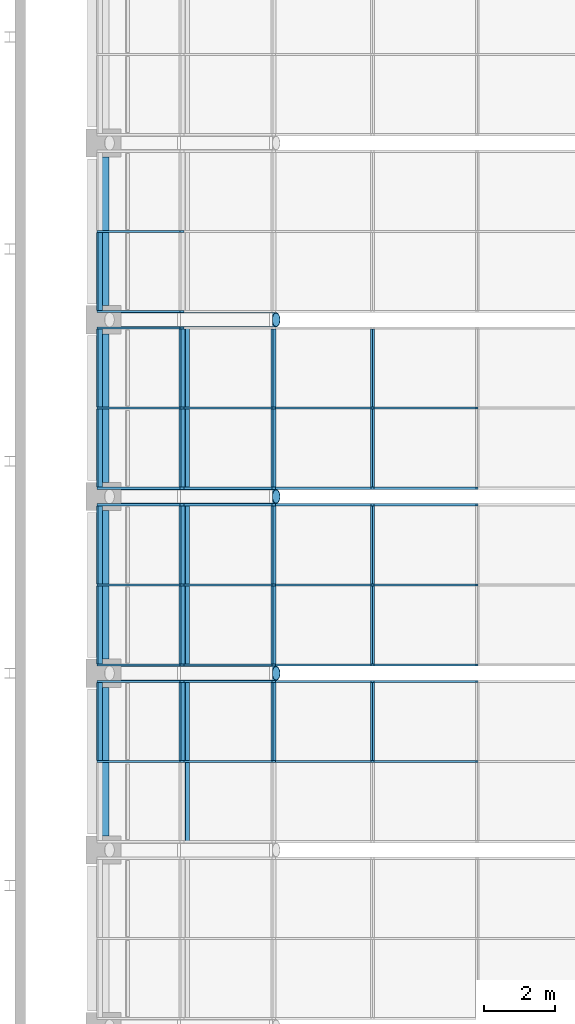
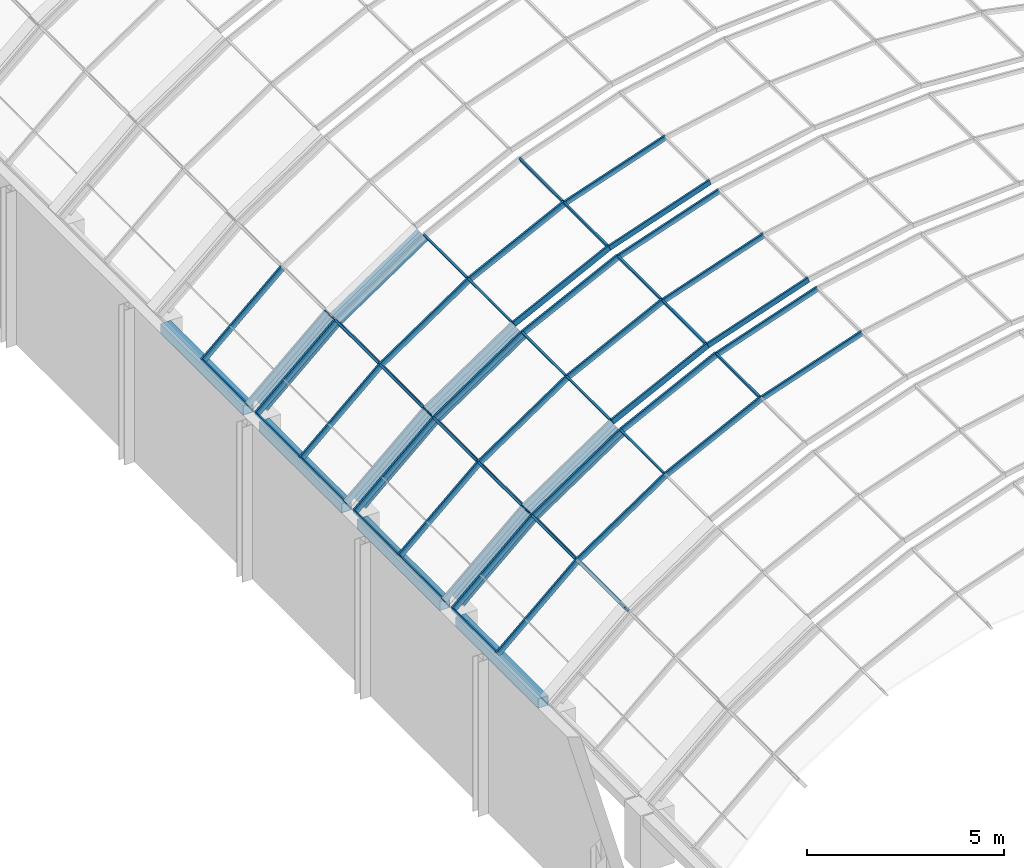
# One storey, part 71 of 182: 61 members, 4 beams, 4 elements without a shape of their own.
"""IFC4 building model written with IfcOpenShell, lengths in metres."""

import ifcopenshell
import ifcopenshell.guid

model = None  # the IFC model being written
_history = None  # IfcOwnerHistory: only IFC2X3 demands one
_inside = {}  # id of a spatial element -> (the spatial element, [elements in it])
_under = {}  # id of a project, library or spatial element -> (it, [spatial elements below it])
_declared = {}  # id of a project -> (the project, [libraries it declares])
_typed = {}  # id of a type object -> (the type object, [elements of that type])
_made_of = {}  # id of a material, layer set ... -> (it, [elements and type objects made of it])


def new_model(schema):
    """Start an empty IFC model of exactly this schema.

    Asked for "IFC4X3", IfcOpenShell would pick the latest addendum, in which some entities
    have other attributes; the version numbers below select the first issue.
    IFC2X3 requires an IfcOwnerHistory on every rooted entity: one is made here for all.
    """
    global model, _history
    if schema == "IFC4X3":
        model = ifcopenshell.file(schema_version=(4, 3, 0, 0))
    else:
        model = ifcopenshell.file(schema=schema)
    _inside.clear()
    _under.clear()
    _declared.clear()
    _typed.clear()
    _made_of.clear()
    _history = None
    if model.schema == "IFC2X3":
        org = make("IfcOrganization", Name="unknown")
        user = make(
            "IfcPersonAndOrganization",
            ThePerson=make("IfcPerson", FamilyName="unknown"),
            TheOrganization=org,
        )
        app = make(
            "IfcApplication",
            ApplicationDeveloper=org,
            Version="unknown",
            ApplicationFullName="unknown",
            ApplicationIdentifier="unknown",
        )
        _history = make(
            "IfcOwnerHistory",
            OwningUser=user,
            OwningApplication=app,
            ChangeAction="ADDED",
            CreationDate=0,
        )
    return model


def make(cls, **values):
    """One entity of the class cls with the attributes given. An attribute that is None is left unset."""
    return model.create_entity(
        cls, **{name: value for name, value in values.items() if value is not None}
    )


def rooted(cls, **values):
    """An entity with a GlobalId (a new one), such as an element, a storey or a relation."""
    return make(cls, GlobalId=ifcopenshell.guid.new(), OwnerHistory=_history, **values)


def si_unit(unit_type, name, prefix=None):
    """IfcSIUnit, for example si_unit("LENGTHUNIT", "METRE", prefix="MILLI")."""
    return make("IfcSIUnit", UnitType=unit_type, Prefix=prefix, Name=name)


def assignment(units):
    """IfcUnitAssignment: the units of a project."""
    return None if units is None else make("IfcUnitAssignment", Units=units)


def point(xyz):
    """IfcCartesianPoint."""
    return None if xyz is None else make("IfcCartesianPoint", Coordinates=xyz)


def direction(xyz):
    """IfcDirection."""
    return None if xyz is None else make("IfcDirection", DirectionRatios=xyz)


def frame(location, z_axis=None, x_axis=None):
    """IfcAxis2Placement3D, a coordinate frame: its origin and axes. An axis left out is left unset."""
    return make(
        "IfcAxis2Placement3D",
        Location=point(location),
        Axis=direction(z_axis),
        RefDirection=direction(x_axis),
    )


def frame_2d(location, x_axis=None):
    """IfcAxis2Placement2D, a coordinate frame in the plane: its origin and x axis."""
    return make(
        "IfcAxis2Placement2D", Location=point(location), RefDirection=direction(x_axis)
    )


def origin():
    """The frame at (0, 0, 0) with its axes left unset."""
    return frame((0.0, 0.0, 0.0))


def origin_2d():
    """The frame at (0, 0) in the plane with its x axis left unset."""
    return frame_2d((0.0, 0.0))


def place(relative_to, where):
    """IfcLocalPlacement: puts the frame where relative to a parent placement (None: the world)."""
    return make(
        "IfcLocalPlacement", PlacementRelTo=relative_to, RelativePlacement=where
    )


def context(
    kind, dimensions, precision=None, world=None, true_north=None, identifier=None
):
    """IfcGeometricRepresentationContext, for example the 3D "Model" context."""
    return make(
        "IfcGeometricRepresentationContext",
        ContextIdentifier=identifier,
        ContextType=kind,
        CoordinateSpaceDimension=dimensions,
        Precision=precision,
        WorldCoordinateSystem=world,
        TrueNorth=true_north,
    )


def subcontext(parent, identifier, kind, view, scale=None):
    """IfcGeometricRepresentationSubContext, for example "Body" below "Model"."""
    return make(
        "IfcGeometricRepresentationSubContext",
        ContextIdentifier=identifier,
        ContextType=kind,
        ParentContext=parent,
        TargetScale=scale,
        TargetView=view,
    )


def project(units=None, contexts=None):
    """IfcProject with its units and contexts."""
    return rooted(
        "IfcProject",
        Name="project",
        RepresentationContexts=contexts,
        UnitsInContext=assignment(units),
    )


def spatial(cls, under=None, at=None, **own):
    """A site, building, storey or space (cls), placed at a placement, below another one or the project."""
    s = rooted(cls, ObjectPlacement=at, **own)
    if under is not None:
        _under.setdefault(under.id(), (under, []))[1].append(s)
    return s


def profile(cls, at=None, kind="AREA", **sizes):
    """A parametric profile (cls). Its sizes go by their IFC names, for example OverallWidth=200.0."""
    return make(cls, ProfileType=kind, Position=at, **sizes)


def rectangle(**sizes):
    """IfcRectangleProfileDef."""
    return profile("IfcRectangleProfileDef", **sizes)


def hollow_rectangle(**sizes):
    """IfcRectangleHollowProfileDef."""
    return profile("IfcRectangleHollowProfileDef", **sizes)


def hollow_circle(**sizes):
    """IfcCircleHollowProfileDef."""
    return profile("IfcCircleHollowProfileDef", **sizes)


def extrude(swept, where, along, depth):
    """IfcExtrudedAreaSolid: the profile swept, set in the frame where, extruded along a direction by depth."""
    return make(
        "IfcExtrudedAreaSolid",
        SweptArea=swept,
        Position=where,
        ExtrudedDirection=direction(along),
        Depth=depth,
    )


def shape(context_of_items, identifier, shape_type, items):
    """IfcShapeRepresentation: the items that make up one representation, for example the "Body"."""
    return make(
        "IfcShapeRepresentation",
        ContextOfItems=context_of_items,
        RepresentationIdentifier=identifier,
        RepresentationType=shape_type,
        Items=items,
    )


def material(Name=None, Category=None):
    """IfcMaterial."""
    return make("IfcMaterial", Name=Name, Category=Category)


def material_profile(
    of_material, cross_section, Name=None, Category=None, Priority=None
):
    """IfcMaterialProfile: a cross section and its material."""
    return make(
        "IfcMaterialProfile",
        Name=Name,
        Material=of_material,
        Profile=cross_section,
        Priority=Priority,
        Category=Category,
    )


def profile_set(profiles, Name=None, composite=None):
    """IfcMaterialProfileSet."""
    return make(
        "IfcMaterialProfileSet",
        Name=Name,
        MaterialProfiles=profiles,
        CompositeProfile=composite,
    )


def made_of(thing, what):
    """Note that an element or type object is made of a material, layer set ...; save() writes the relation."""
    if what is not None:
        _made_of.setdefault(what.id(), (what, []))[1].append(thing)
    return thing


def type_object(cls, material=None, **own):
    """A type object (cls), such as IfcWallType, which elements share."""
    return made_of(rooted(cls, **own), material)


def element(
    cls,
    number,
    at=None,
    inside=None,
    cuts=None,
    type_object=None,
    material=None,
    context=None,
    identifier="Body",
    shape_type=None,
    held_by="IfcProductDefinitionShape",
    body=None,
    shapes=None,
    **own,
):
    """One element of the class cls, such as IfcWall. Its Tag is "e" and its number.

    at: its placement. inside: the storey or other place that contains it. cuts: it is an
    opening in that element (IfcRelVoidsElement). A single representation is given by context,
    identifier, shape_type and body (its items); several are given by shapes. held_by: the class
    of the entity that holds the representations. save() writes the other relations.
    """
    e = rooted(cls, Tag="e%d" % number, ObjectPlacement=at, **own)
    if body is not None:
        shapes = [shape(context, identifier, shape_type, body)]
    if shapes is not None:
        e.Representation = make(held_by, Representations=shapes)
    if inside is not None:
        _inside.setdefault(inside.id(), (inside, []))[1].append(e)
    if cuts is not None:
        rooted(
            "IfcRelVoidsElement", RelatingBuildingElement=cuts, RelatedOpeningElement=e
        )
    if type_object is not None:
        _typed.setdefault(type_object.id(), (type_object, []))[1].append(e)
    return made_of(e, material)


def aggregate(whole, parts):
    """IfcRelAggregates: a whole, such as a stair, and the parts it consists of."""
    return rooted("IfcRelAggregates", RelatingObject=whole, RelatedObjects=parts)


def save(model, path):
    """Write the relations noted so far, then the file.

    IfcRelAggregates (storeys below a building ...), IfcRelContainedInSpatialStructure (elements
    in a storey), IfcRelDefinesByType, IfcRelAssociatesMaterial and IfcRelDeclares: one each for
    every whole, place, type object, material and project.
    """
    for whole, parts in _under.values():
        aggregate(whole, parts)
    for where, things in _inside.values():
        rooted(
            "IfcRelContainedInSpatialStructure",
            RelatedElements=things,
            RelatingStructure=where,
        )
    for kind, things in _typed.values():
        rooted("IfcRelDefinesByType", RelatedObjects=things, RelatingType=kind)
    for what, things in _made_of.values():
        rooted("IfcRelAssociatesMaterial", RelatedObjects=things, RelatingMaterial=what)
    for by, libraries in _declared.values():
        rooted("IfcRelDeclares", RelatingContext=by, RelatedDefinitions=libraries)
    model.write(path)


model = new_model("IFC4")

# Units and contexts
model_context = context("Model", 3, precision=1e-05, world=origin(), true_north=direction((0.0, 1.0)))
body_context = subcontext(model_context, "Body", "Model", "MODEL_VIEW")
ifc_project = project(units=[si_unit("LENGTHUNIT", "METRE"), si_unit("AREAUNIT", "SQUARE_METRE"), si_unit("VOLUMEUNIT", "CUBIC_METRE"), si_unit("PLANEANGLEUNIT", "RADIAN"), si_unit("MASSUNIT", "GRAM", prefix="KILO")], contexts=[model_context])

# Site, building, storey
site_placement = place(None, origin())
site = spatial("IfcSite", under=ifc_project, at=site_placement, CompositionType="ELEMENT")
building_placement = place(site_placement, origin())
building = spatial("IfcBuilding", under=site, at=building_placement, Name="Okhra Congress Centre", CompositionType="ELEMENT")
storey_placement = place(building_placement, frame((0.0, 0.0, 7.199951171875)))
storey = spatial("IfcBuildingStorey", under=building, at=storey_placement, Name="L01", CompositionType="ELEMENT", Elevation=7.199951171875)

# Curtain wall, members
ifc_material_1 = material(Name="Aluminium frame with triple glazing", Category="aluminium")
curtain_wall_type = type_object("IfcCurtainWallType", Name="Glazed vault bay curtain wall", PredefinedType="NOTDEFINED", material=ifc_material_1)
curtain_wall_1_placement = place(storey_placement, origin())
curtain_wall_1 = element("IfcCurtainWall", 1, at=curtain_wall_1_placement, inside=storey, type_object=curtain_wall_type, Name="Vault glazing bay 16", PredefinedType="NOTDEFINED")
ifc_material_2 = material(Name="Aluminium alloy 6063", Category="aluminium")
ifc_material_profile_1 = material_profile(ifc_material_2, rectangle(XDim=0.06005859375, YDim=0.159912109375, at=origin_2d()), Name="AL 60x160")
ifc_profile_set_1 = profile_set([ifc_material_profile_1], Name="Aluminium alloy 6063")
member_type_1 = type_object("IfcMemberType", Name="Aluminium mullion 60x160", PredefinedType="MULLION", material=ifc_profile_set_1)
member_1_placement = place(storey_placement, frame((163.11328125, 153.5, 7.12255859375), z_axis=(0.946065064306, 0.0, 0.323976687587), x_axis=(0.0, 1.0, 0.0)))
member_1 = element("IfcMember", 2, at=member_1_placement, type_object=member_type_1, Name="Vault mullion 16.2.4", PredefinedType="MULLION", context=body_context, shape_type="SweptSolid", body=[
    extrude(rectangle(XDim=0.06005859375, YDim=0.159912109375, at=origin_2d()), origin(), (0.0, 0.0, 1.0), 3.124267578125),
])
member_2_placement = place(storey_placement, frame((163.11328125, 155.766845703125, 7.12255859375), z_axis=(0.946065064306, 0.0, 0.323976687587), x_axis=(0.0, 1.0, 0.0)))
member_2 = element("IfcMember", 3, at=member_2_placement, type_object=member_type_1, Name="Vault mullion 16.3.4", PredefinedType="MULLION", context=body_context, shape_type="SweptSolid", body=[
    extrude(rectangle(XDim=0.06005859375, YDim=0.159912109375, at=origin_2d()), origin(), (0.0, 0.0, 1.0), 3.124267578125),
])

curtain_wall_2_placement = place(storey_placement, origin())
curtain_wall_2 = element("IfcCurtainWall", 4, at=curtain_wall_2_placement, inside=storey, type_object=curtain_wall_type, Name="Vault glazing bay 17", PredefinedType="NOTDEFINED")
member_3_placement = place(storey_placement, frame((163.11328125, 156.233154296875, 7.12255859375), z_axis=(0.946065064306, 0.0, 0.323976687587), x_axis=(0.0, 1.0, 0.0)))
member_3 = element("IfcMember", 5, at=member_3_placement, type_object=member_type_1, Name="Vault mullion 17.1.4", PredefinedType="MULLION", context=body_context, shape_type="SweptSolid", body=[
    extrude(rectangle(XDim=0.06005859375, YDim=0.159912109375, at=origin_2d()), origin(), (0.0, 0.0, 1.0), 3.124267578125),
])
member_4_placement = place(storey_placement, frame((163.11328125, 158.5, 7.12255859375), z_axis=(0.946065064306, 0.0, 0.323976687587), x_axis=(0.0, 1.0, 0.0)))
member_4 = element("IfcMember", 6, at=member_4_placement, type_object=member_type_1, Name="Vault mullion 17.2.4", PredefinedType="MULLION", context=body_context, shape_type="SweptSolid", body=[
    extrude(rectangle(XDim=0.06005859375, YDim=0.159912109375, at=origin_2d()), origin(), (0.0, 0.0, 1.0), 3.124267578125),
])
member_5_placement = place(storey_placement, frame((163.11328125, 160.766845703125, 7.12255859375), z_axis=(0.946065064306, 0.0, 0.323976687587), x_axis=(0.0, 1.0, 0.0)))
member_5 = element("IfcMember", 7, at=member_5_placement, type_object=member_type_1, Name="Vault mullion 17.3.4", PredefinedType="MULLION", context=body_context, shape_type="SweptSolid", body=[
    extrude(rectangle(XDim=0.06005859375, YDim=0.159912109375, at=origin_2d()), origin(), (0.0, 0.0, 1.0), 3.124267578125),
])

curtain_wall_3_placement = place(storey_placement, origin())
curtain_wall_3 = element("IfcCurtainWall", 8, at=curtain_wall_3_placement, inside=storey, type_object=curtain_wall_type, Name="Vault glazing bay 18", PredefinedType="NOTDEFINED")
member_6_placement = place(storey_placement, frame((163.11328125, 161.233154296875, 7.12255859375), z_axis=(0.946065064306, 0.0, 0.323976687587), x_axis=(0.0, 1.0, 0.0)))
member_6 = element("IfcMember", 9, at=member_6_placement, type_object=member_type_1, Name="Vault mullion 18.1.4", PredefinedType="MULLION", context=body_context, shape_type="SweptSolid", body=[
    extrude(rectangle(XDim=0.06005859375, YDim=0.159912109375, at=origin_2d()), origin(), (0.0, 0.0, 1.0), 3.124267578125),
])
member_7_placement = place(storey_placement, frame((163.11328125, 163.5, 7.12255859375), z_axis=(0.946065064306, 0.0, 0.323976687587), x_axis=(0.0, 1.0, 0.0)))
member_7 = element("IfcMember", 10, at=member_7_placement, type_object=member_type_1, Name="Vault mullion 18.2.4", PredefinedType="MULLION", context=body_context, shape_type="SweptSolid", body=[
    extrude(rectangle(XDim=0.06005859375, YDim=0.159912109375, at=origin_2d()), origin(), (0.0, 0.0, 1.0), 3.124267578125),
])

# Member
ifc_material_profile_2 = material_profile(ifc_material_2, rectangle(XDim=0.06005859375, YDim=0.179931640625, at=origin_2d()), Name="AL 60x180")
ifc_profile_set_2 = profile_set([ifc_material_profile_2], Name="Aluminium alloy 6063")
member_type_2 = type_object("IfcMemberType", Name="Aluminium mullion 60x180", PredefinedType="MULLION", material=ifc_profile_set_2)
member_8_placement = place(storey_placement, frame((155.382568359375, 153.5, 1.916015625), z_axis=(0.748025229923, 0.0, 0.663670291183), x_axis=(0.0, 1.0, 0.0)))
member_8 = element("IfcMember", 11, at=member_8_placement, type_object=member_type_2, Name="Vault mullion 16.2.1", PredefinedType="MULLION", context=body_context, shape_type="SweptSolid", body=[
    extrude(rectangle(XDim=0.06005859375, YDim=0.179931640625, at=origin_2d()), origin(), (0.0, 0.0, 1.0), 3.125732421875),
])

member_9_placement = place(storey_placement, frame((157.720703125, 153.5, 3.990478515625), z_axis=(0.828827846338, 0.0, 0.559503709671), x_axis=(0.0, 1.0, 0.0)))
member_9 = element("IfcMember", 12, at=member_9_placement, type_object=member_type_2, Name="Vault mullion 16.2.2", PredefinedType="MULLION", context=body_context, shape_type="SweptSolid", body=[
    extrude(rectangle(XDim=0.06005859375, YDim=0.179931640625, at=origin_2d()), origin(), (0.0, 0.0, 1.0), 3.12548828125),
])

member_10_placement = place(storey_placement, frame((160.311279296875, 153.5, 5.7392578125), z_axis=(0.895253656313, 0.0, 0.445556832354), x_axis=(0.0, 1.0, 0.0)))
member_10 = element("IfcMember", 13, at=member_10_placement, type_object=member_type_2, Name="Vault mullion 16.2.3", PredefinedType="MULLION", context=body_context, shape_type="SweptSolid", body=[
    extrude(rectangle(XDim=0.06005859375, YDim=0.179931640625, at=origin_2d()), origin(), (0.0, 0.0, 1.0), 3.12548828125),
])

member_11_placement = place(storey_placement, frame((155.382568359375, 155.766845703125, 1.916015625), z_axis=(0.748025229923, 0.0, 0.663670291183), x_axis=(0.0, 1.0, 0.0)))
member_11 = element("IfcMember", 14, at=member_11_placement, type_object=member_type_2, Name="Vault mullion 16.3.1", PredefinedType="MULLION", context=body_context, shape_type="SweptSolid", body=[
    extrude(rectangle(XDim=0.06005859375, YDim=0.179931640625, at=origin_2d()), origin(), (0.0, 0.0, 1.0), 3.125732421875),
])

member_12_placement = place(storey_placement, frame((157.720703125, 155.766845703125, 3.990478515625), z_axis=(0.828827846338, 0.0, 0.559503709671), x_axis=(0.0, 1.0, 0.0)))
member_12 = element("IfcMember", 15, at=member_12_placement, type_object=member_type_2, Name="Vault mullion 16.3.2", PredefinedType="MULLION", context=body_context, shape_type="SweptSolid", body=[
    extrude(rectangle(XDim=0.06005859375, YDim=0.179931640625, at=origin_2d()), origin(), (0.0, 0.0, 1.0), 3.12548828125),
])

member_13_placement = place(storey_placement, frame((160.311279296875, 155.766845703125, 5.7392578125), z_axis=(0.895253656313, 0.0, 0.445556832354), x_axis=(0.0, 1.0, 0.0)))
member_13 = element("IfcMember", 16, at=member_13_placement, type_object=member_type_2, Name="Vault mullion 16.3.3", PredefinedType="MULLION", context=body_context, shape_type="SweptSolid", body=[
    extrude(rectangle(XDim=0.06005859375, YDim=0.179931640625, at=origin_2d()), origin(), (0.0, 0.0, 1.0), 3.12548828125),
])

member_14_placement = place(storey_placement, frame((155.382568359375, 156.233154296875, 1.916015625), z_axis=(0.748025229923, 0.0, 0.663670291183), x_axis=(0.0, 1.0, 0.0)))
member_14 = element("IfcMember", 17, at=member_14_placement, type_object=member_type_2, Name="Vault mullion 17.1.1", PredefinedType="MULLION", context=body_context, shape_type="SweptSolid", body=[
    extrude(rectangle(XDim=0.06005859375, YDim=0.179931640625, at=origin_2d()), origin(), (0.0, 0.0, 1.0), 3.125732421875),
])

member_15_placement = place(storey_placement, frame((157.720703125, 156.233154296875, 3.990478515625), z_axis=(0.828827846338, 0.0, 0.559503709671), x_axis=(0.0, 1.0, 0.0)))
member_15 = element("IfcMember", 18, at=member_15_placement, type_object=member_type_2, Name="Vault mullion 17.1.2", PredefinedType="MULLION", context=body_context, shape_type="SweptSolid", body=[
    extrude(rectangle(XDim=0.06005859375, YDim=0.179931640625, at=origin_2d()), origin(), (0.0, 0.0, 1.0), 3.12548828125),
])

member_16_placement = place(storey_placement, frame((160.311279296875, 156.233154296875, 5.7392578125), z_axis=(0.895253656313, 0.0, 0.445556832354), x_axis=(0.0, 1.0, 0.0)))
member_16 = element("IfcMember", 19, at=member_16_placement, type_object=member_type_2, Name="Vault mullion 17.1.3", PredefinedType="MULLION", context=body_context, shape_type="SweptSolid", body=[
    extrude(rectangle(XDim=0.06005859375, YDim=0.179931640625, at=origin_2d()), origin(), (0.0, 0.0, 1.0), 3.12548828125),
])

member_17_placement = place(storey_placement, frame((155.382568359375, 158.5, 1.916015625), z_axis=(0.748025229923, 0.0, 0.663670291183), x_axis=(0.0, 1.0, 0.0)))
member_17 = element("IfcMember", 20, at=member_17_placement, type_object=member_type_2, Name="Vault mullion 17.2.1", PredefinedType="MULLION", context=body_context, shape_type="SweptSolid", body=[
    extrude(rectangle(XDim=0.06005859375, YDim=0.179931640625, at=origin_2d()), origin(), (0.0, 0.0, 1.0), 3.125732421875),
])

member_18_placement = place(storey_placement, frame((157.720703125, 158.5, 3.990478515625), z_axis=(0.828827846338, 0.0, 0.559503709671), x_axis=(0.0, 1.0, 0.0)))
member_18 = element("IfcMember", 21, at=member_18_placement, type_object=member_type_2, Name="Vault mullion 17.2.2", PredefinedType="MULLION", context=body_context, shape_type="SweptSolid", body=[
    extrude(rectangle(XDim=0.06005859375, YDim=0.179931640625, at=origin_2d()), origin(), (0.0, 0.0, 1.0), 3.12548828125),
])

member_19_placement = place(storey_placement, frame((160.311279296875, 158.5, 5.7392578125), z_axis=(0.895253656313, 0.0, 0.445556832354), x_axis=(0.0, 1.0, 0.0)))
member_19 = element("IfcMember", 22, at=member_19_placement, type_object=member_type_2, Name="Vault mullion 17.2.3", PredefinedType="MULLION", context=body_context, shape_type="SweptSolid", body=[
    extrude(rectangle(XDim=0.06005859375, YDim=0.179931640625, at=origin_2d()), origin(), (0.0, 0.0, 1.0), 3.12548828125),
])

member_20_placement = place(storey_placement, frame((155.382568359375, 160.766845703125, 1.916015625), z_axis=(0.748025229923, 0.0, 0.663670291183), x_axis=(0.0, 1.0, 0.0)))
member_20 = element("IfcMember", 23, at=member_20_placement, type_object=member_type_2, Name="Vault mullion 17.3.1", PredefinedType="MULLION", context=body_context, shape_type="SweptSolid", body=[
    extrude(rectangle(XDim=0.06005859375, YDim=0.179931640625, at=origin_2d()), origin(), (0.0, 0.0, 1.0), 3.125732421875),
])

member_21_placement = place(storey_placement, frame((157.720703125, 160.766845703125, 3.990478515625), z_axis=(0.828827846338, 0.0, 0.559503709671), x_axis=(0.0, 1.0, 0.0)))
member_21 = element("IfcMember", 24, at=member_21_placement, type_object=member_type_2, Name="Vault mullion 17.3.2", PredefinedType="MULLION", context=body_context, shape_type="SweptSolid", body=[
    extrude(rectangle(XDim=0.06005859375, YDim=0.179931640625, at=origin_2d()), origin(), (0.0, 0.0, 1.0), 3.12548828125),
])

member_22_placement = place(storey_placement, frame((160.311279296875, 160.766845703125, 5.7392578125), z_axis=(0.895253656313, 0.0, 0.445556832354), x_axis=(0.0, 1.0, 0.0)))
member_22 = element("IfcMember", 25, at=member_22_placement, type_object=member_type_2, Name="Vault mullion 17.3.3", PredefinedType="MULLION", context=body_context, shape_type="SweptSolid", body=[
    extrude(rectangle(XDim=0.06005859375, YDim=0.179931640625, at=origin_2d()), origin(), (0.0, 0.0, 1.0), 3.12548828125),
])

member_23_placement = place(storey_placement, frame((155.382568359375, 161.233154296875, 1.916015625), z_axis=(0.748025229923, 0.0, 0.663670291183), x_axis=(0.0, 1.0, 0.0)))
member_23 = element("IfcMember", 26, at=member_23_placement, type_object=member_type_2, Name="Vault mullion 18.1.1", PredefinedType="MULLION", context=body_context, shape_type="SweptSolid", body=[
    extrude(rectangle(XDim=0.06005859375, YDim=0.179931640625, at=origin_2d()), origin(), (0.0, 0.0, 1.0), 3.125732421875),
])

member_24_placement = place(storey_placement, frame((157.720703125, 161.233154296875, 3.990478515625), z_axis=(0.828827846338, 0.0, 0.559503709671), x_axis=(0.0, 1.0, 0.0)))
member_24 = element("IfcMember", 27, at=member_24_placement, type_object=member_type_2, Name="Vault mullion 18.1.2", PredefinedType="MULLION", context=body_context, shape_type="SweptSolid", body=[
    extrude(rectangle(XDim=0.06005859375, YDim=0.179931640625, at=origin_2d()), origin(), (0.0, 0.0, 1.0), 3.12548828125),
])

member_25_placement = place(storey_placement, frame((160.311279296875, 161.233154296875, 5.7392578125), z_axis=(0.895253656313, 0.0, 0.445556832354), x_axis=(0.0, 1.0, 0.0)))
member_25 = element("IfcMember", 28, at=member_25_placement, type_object=member_type_2, Name="Vault mullion 18.1.3", PredefinedType="MULLION", context=body_context, shape_type="SweptSolid", body=[
    extrude(rectangle(XDim=0.06005859375, YDim=0.179931640625, at=origin_2d()), origin(), (0.0, 0.0, 1.0), 3.12548828125),
])

member_26_placement = place(storey_placement, frame((155.382568359375, 163.5, 1.916015625), z_axis=(0.748025229923, 0.0, 0.663670291183), x_axis=(0.0, 1.0, 0.0)))
member_26 = element("IfcMember", 29, at=member_26_placement, type_object=member_type_2, Name="Vault mullion 18.2.1", PredefinedType="MULLION", context=body_context, shape_type="SweptSolid", body=[
    extrude(rectangle(XDim=0.06005859375, YDim=0.179931640625, at=origin_2d()), origin(), (0.0, 0.0, 1.0), 3.125732421875),
])

member_27_placement = place(storey_placement, frame((157.720703125, 163.5, 3.990478515625), z_axis=(0.828827846338, 0.0, 0.559503709671), x_axis=(0.0, 1.0, 0.0)))
member_27 = element("IfcMember", 30, at=member_27_placement, type_object=member_type_2, Name="Vault mullion 18.2.2", PredefinedType="MULLION", context=body_context, shape_type="SweptSolid", body=[
    extrude(rectangle(XDim=0.06005859375, YDim=0.179931640625, at=origin_2d()), origin(), (0.0, 0.0, 1.0), 3.12548828125),
])

member_28_placement = place(storey_placement, frame((160.311279296875, 163.5, 5.7392578125), z_axis=(0.895253656313, 0.0, 0.445556832354), x_axis=(0.0, 1.0, 0.0)))
member_28 = element("IfcMember", 31, at=member_28_placement, type_object=member_type_2, Name="Vault mullion 18.2.3", PredefinedType="MULLION", context=body_context, shape_type="SweptSolid", body=[
    extrude(rectangle(XDim=0.06005859375, YDim=0.179931640625, at=origin_2d()), origin(), (0.0, 0.0, 1.0), 3.12548828125),
])

member_29_placement = place(storey_placement, frame((155.382568359375, 165.766845703125, 1.916015625), z_axis=(0.748025229923, 0.0, 0.663670291183), x_axis=(0.0, 1.0, 0.0)))
member_29 = element("IfcMember", 32, at=member_29_placement, type_object=member_type_2, Name="Vault mullion 18.3.1", PredefinedType="MULLION", context=body_context, shape_type="SweptSolid", body=[
    extrude(rectangle(XDim=0.06005859375, YDim=0.179931640625, at=origin_2d()), origin(), (0.0, 0.0, 1.0), 3.125732421875),
])

# Curtain wall, members
curtain_wall_4_placement = place(storey_placement, origin())
curtain_wall_4 = element("IfcCurtainWall", 33, at=curtain_wall_4_placement, inside=storey, type_object=curtain_wall_type, Name="Vault glazing bay 19", PredefinedType="NOTDEFINED")
member_30_placement = place(storey_placement, frame((155.382568359375, 166.233154296875, 1.916015625), z_axis=(0.748025229923, 0.0, 0.663670291183), x_axis=(0.0, 1.0, 0.0)))
member_30 = element("IfcMember", 34, at=member_30_placement, type_object=member_type_2, Name="Vault mullion 19.1.1", PredefinedType="MULLION", context=body_context, shape_type="SweptSolid", body=[
    extrude(rectangle(XDim=0.06005859375, YDim=0.179931640625, at=origin_2d()), origin(), (0.0, 0.0, 1.0), 3.125732421875),
])
member_31_placement = place(storey_placement, frame((155.382568359375, 168.5, 1.916015625), z_axis=(0.748025229923, 0.0, 0.663670291183), x_axis=(0.0, 1.0, 0.0)))
member_31 = element("IfcMember", 35, at=member_31_placement, type_object=member_type_2, Name="Vault mullion 19.2.1", PredefinedType="MULLION", context=body_context, shape_type="SweptSolid", body=[
    extrude(rectangle(XDim=0.06005859375, YDim=0.179931640625, at=origin_2d()), origin(), (0.0, 0.0, 1.0), 3.125732421875),
])

# Member
ifc_material_profile_3 = material_profile(ifc_material_2, rectangle(XDim=0.06005859375, YDim=0.159912109375, at=origin_2d()), Name="AL 60x160 transom")
ifc_profile_set_3 = profile_set([ifc_material_profile_3], Name="Aluminium alloy 6063")
member_type_3 = type_object("IfcMemberType", Name="Aluminium transom 60x160", PredefinedType="USERDEFINED", material=ifc_profile_set_3)
member_32_placement = place(storey_placement, frame((163.11328125, 153.530029296875, 7.12255859375), z_axis=(0.0, 1.0, 0.0), x_axis=(-0.922668973833, 0.0, -0.38559300399)))
member_32 = element("IfcMember", 36, at=member_32_placement, type_object=member_type_3, Name="Vault transom 16.2.4", ObjectType="TRANSOM", PredefinedType="USERDEFINED", context=body_context, shape_type="SweptSolid", body=[
    extrude(rectangle(XDim=0.06005859375, YDim=0.159912109375, at=origin_2d()), origin(), (0.0, 0.0, 1.0), 2.206787109375),
])

member_33_placement = place(storey_placement, frame((163.11328125, 156.26318359375, 7.12255859375), z_axis=(0.0, 1.0, 0.0), x_axis=(-0.922668973833, 0.0, -0.38559300399)))
member_33 = element("IfcMember", 37, at=member_33_placement, type_object=member_type_3, Name="Vault transom 17.1.4", ObjectType="TRANSOM", PredefinedType="USERDEFINED", context=body_context, shape_type="SweptSolid", body=[
    extrude(rectangle(XDim=0.06005859375, YDim=0.159912109375, at=origin_2d()), origin(), (0.0, 0.0, 1.0), 2.206787109375),
])

member_34_placement = place(storey_placement, frame((163.11328125, 158.530029296875, 7.12255859375), z_axis=(0.0, 1.0, 0.0), x_axis=(-0.922668973833, 0.0, -0.38559300399)))
member_34 = element("IfcMember", 38, at=member_34_placement, type_object=member_type_3, Name="Vault transom 17.2.4", ObjectType="TRANSOM", PredefinedType="USERDEFINED", context=body_context, shape_type="SweptSolid", body=[
    extrude(rectangle(XDim=0.06005859375, YDim=0.159912109375, at=origin_2d()), origin(), (0.0, 0.0, 1.0), 2.206787109375),
])

member_35_placement = place(storey_placement, frame((163.11328125, 161.26318359375, 7.12255859375), z_axis=(0.0, 1.0, 0.0), x_axis=(-0.922668973833, 0.0, -0.38559300399)))
member_35 = element("IfcMember", 39, at=member_35_placement, type_object=member_type_3, Name="Vault transom 18.1.4", ObjectType="TRANSOM", PredefinedType="USERDEFINED", context=body_context, shape_type="SweptSolid", body=[
    extrude(rectangle(XDim=0.06005859375, YDim=0.159912109375, at=origin_2d()), origin(), (0.0, 0.0, 1.0), 2.206787109375),
])

member_36_placement = place(storey_placement, frame((163.11328125, 163.530029296875, 7.12255859375), z_axis=(0.0, 1.0, 0.0), x_axis=(-0.922668973833, 0.0, -0.38559300399)))
member_36 = element("IfcMember", 40, at=member_36_placement, type_object=member_type_3, Name="Vault transom 18.2.4", ObjectType="TRANSOM", PredefinedType="USERDEFINED", context=body_context, shape_type="SweptSolid", body=[
    extrude(rectangle(XDim=0.06005859375, YDim=0.159912109375, at=origin_2d()), origin(), (0.0, 0.0, 1.0), 2.206787109375),
])

ifc_material_profile_4 = material_profile(ifc_material_2, rectangle(XDim=0.06005859375, YDim=0.179931640625, at=origin_2d()), Name="AL 60x180 transom")
ifc_profile_set_4 = profile_set([ifc_material_profile_4], Name="Aluminium alloy 6063")
member_type_4 = type_object("IfcMemberType", Name="Aluminium transom 60x180", PredefinedType="USERDEFINED", material=ifc_profile_set_4)
member_37_placement = place(storey_placement, frame((155.382568359375, 153.530029296875, 1.916015625), z_axis=(0.0, 1.0, 0.0), x_axis=(-0.702636070549, 0.0, -0.711549402616)))
member_37 = element("IfcMember", 41, at=member_37_placement, type_object=member_type_4, Name="Vault transom 16.2.1", ObjectType="TRANSOM", PredefinedType="USERDEFINED", context=body_context, shape_type="SweptSolid", body=[
    extrude(rectangle(XDim=0.06005859375, YDim=0.179931640625, at=origin_2d()), origin(), (0.0, 0.0, 1.0), 2.206787109375),
])

member_38_placement = place(storey_placement, frame((157.720703125, 153.530029296875, 3.990478515625), z_axis=(0.0, 1.0, 0.0), x_axis=(-0.790145035185, 0.0, -0.612919915954)))
member_38 = element("IfcMember", 42, at=member_38_placement, type_object=member_type_4, Name="Vault transom 16.2.2", ObjectType="TRANSOM", PredefinedType="USERDEFINED", context=body_context, shape_type="SweptSolid", body=[
    extrude(rectangle(XDim=0.06005859375, YDim=0.179931640625, at=origin_2d()), origin(), (0.0, 0.0, 1.0), 2.206787109375),
])

member_39_placement = place(storey_placement, frame((160.311279296875, 153.530029296875, 5.7392578125), z_axis=(0.0, 1.0, 0.0), x_axis=(-0.86391685861, 0.0, -0.503634452167)))
member_39 = element("IfcMember", 43, at=member_39_placement, type_object=member_type_4, Name="Vault transom 16.2.3", ObjectType="TRANSOM", PredefinedType="USERDEFINED", context=body_context, shape_type="SweptSolid", body=[
    extrude(rectangle(XDim=0.06005859375, YDim=0.179931640625, at=origin_2d()), origin(), (0.0, 0.0, 1.0), 2.206787109375),
])

aggregate(curtain_wall_1, [member_8, member_9, member_10, member_1, member_11, member_12, member_13, member_2, member_37, member_38, member_39, member_32])

member_40_placement = place(storey_placement, frame((155.382568359375, 156.26318359375, 1.916015625), z_axis=(0.0, 1.0, 0.0), x_axis=(-0.702636070549, 0.0, -0.711549402616)))
member_40 = element("IfcMember", 44, at=member_40_placement, type_object=member_type_4, Name="Vault transom 17.1.1", ObjectType="TRANSOM", PredefinedType="USERDEFINED", context=body_context, shape_type="SweptSolid", body=[
    extrude(rectangle(XDim=0.06005859375, YDim=0.179931640625, at=origin_2d()), origin(), (0.0, 0.0, 1.0), 2.206787109375),
])

member_41_placement = place(storey_placement, frame((157.720703125, 156.26318359375, 3.990478515625), z_axis=(0.0, 1.0, 0.0), x_axis=(-0.790145035185, 0.0, -0.612919915954)))
member_41 = element("IfcMember", 45, at=member_41_placement, type_object=member_type_4, Name="Vault transom 17.1.2", ObjectType="TRANSOM", PredefinedType="USERDEFINED", context=body_context, shape_type="SweptSolid", body=[
    extrude(rectangle(XDim=0.06005859375, YDim=0.179931640625, at=origin_2d()), origin(), (0.0, 0.0, 1.0), 2.206787109375),
])

member_42_placement = place(storey_placement, frame((160.311279296875, 156.26318359375, 5.7392578125), z_axis=(0.0, 1.0, 0.0), x_axis=(-0.86391685861, 0.0, -0.503634452167)))
member_42 = element("IfcMember", 46, at=member_42_placement, type_object=member_type_4, Name="Vault transom 17.1.3", ObjectType="TRANSOM", PredefinedType="USERDEFINED", context=body_context, shape_type="SweptSolid", body=[
    extrude(rectangle(XDim=0.06005859375, YDim=0.179931640625, at=origin_2d()), origin(), (0.0, 0.0, 1.0), 2.206787109375),
])

member_43_placement = place(storey_placement, frame((155.382568359375, 158.530029296875, 1.916015625), z_axis=(0.0, 1.0, 0.0), x_axis=(-0.702636070549, 0.0, -0.711549402616)))
member_43 = element("IfcMember", 47, at=member_43_placement, type_object=member_type_4, Name="Vault transom 17.2.1", ObjectType="TRANSOM", PredefinedType="USERDEFINED", context=body_context, shape_type="SweptSolid", body=[
    extrude(rectangle(XDim=0.06005859375, YDim=0.179931640625, at=origin_2d()), origin(), (0.0, 0.0, 1.0), 2.206787109375),
])

member_44_placement = place(storey_placement, frame((157.720703125, 158.530029296875, 3.990478515625), z_axis=(0.0, 1.0, 0.0), x_axis=(-0.790145035185, 0.0, -0.612919915954)))
member_44 = element("IfcMember", 48, at=member_44_placement, type_object=member_type_4, Name="Vault transom 17.2.2", ObjectType="TRANSOM", PredefinedType="USERDEFINED", context=body_context, shape_type="SweptSolid", body=[
    extrude(rectangle(XDim=0.06005859375, YDim=0.179931640625, at=origin_2d()), origin(), (0.0, 0.0, 1.0), 2.206787109375),
])

member_45_placement = place(storey_placement, frame((160.311279296875, 158.530029296875, 5.7392578125), z_axis=(0.0, 1.0, 0.0), x_axis=(-0.86391685861, 0.0, -0.503634452167)))
member_45 = element("IfcMember", 49, at=member_45_placement, type_object=member_type_4, Name="Vault transom 17.2.3", ObjectType="TRANSOM", PredefinedType="USERDEFINED", context=body_context, shape_type="SweptSolid", body=[
    extrude(rectangle(XDim=0.06005859375, YDim=0.179931640625, at=origin_2d()), origin(), (0.0, 0.0, 1.0), 2.206787109375),
])

aggregate(curtain_wall_2, [member_14, member_15, member_16, member_3, member_17, member_18, member_19, member_4, member_20, member_21, member_22, member_5, member_40, member_41, member_42, member_33, member_43, member_44, member_45, member_34])

member_46_placement = place(storey_placement, frame((155.382568359375, 161.26318359375, 1.916015625), z_axis=(0.0, 1.0, 0.0), x_axis=(-0.702636070549, 0.0, -0.711549402616)))
member_46 = element("IfcMember", 50, at=member_46_placement, type_object=member_type_4, Name="Vault transom 18.1.1", ObjectType="TRANSOM", PredefinedType="USERDEFINED", context=body_context, shape_type="SweptSolid", body=[
    extrude(rectangle(XDim=0.06005859375, YDim=0.179931640625, at=origin_2d()), origin(), (0.0, 0.0, 1.0), 2.206787109375),
])

member_47_placement = place(storey_placement, frame((157.720703125, 161.26318359375, 3.990478515625), z_axis=(0.0, 1.0, 0.0), x_axis=(-0.790145035185, 0.0, -0.612919915954)))
member_47 = element("IfcMember", 51, at=member_47_placement, type_object=member_type_4, Name="Vault transom 18.1.2", ObjectType="TRANSOM", PredefinedType="USERDEFINED", context=body_context, shape_type="SweptSolid", body=[
    extrude(rectangle(XDim=0.06005859375, YDim=0.179931640625, at=origin_2d()), origin(), (0.0, 0.0, 1.0), 2.206787109375),
])

member_48_placement = place(storey_placement, frame((160.311279296875, 161.26318359375, 5.7392578125), z_axis=(0.0, 1.0, 0.0), x_axis=(-0.86391685861, 0.0, -0.503634452167)))
member_48 = element("IfcMember", 52, at=member_48_placement, type_object=member_type_4, Name="Vault transom 18.1.3", ObjectType="TRANSOM", PredefinedType="USERDEFINED", context=body_context, shape_type="SweptSolid", body=[
    extrude(rectangle(XDim=0.06005859375, YDim=0.179931640625, at=origin_2d()), origin(), (0.0, 0.0, 1.0), 2.206787109375),
])

member_49_placement = place(storey_placement, frame((155.382568359375, 163.530029296875, 1.916015625), z_axis=(0.0, 1.0, 0.0), x_axis=(-0.702636070549, 0.0, -0.711549402616)))
member_49 = element("IfcMember", 53, at=member_49_placement, type_object=member_type_4, Name="Vault transom 18.2.1", ObjectType="TRANSOM", PredefinedType="USERDEFINED", context=body_context, shape_type="SweptSolid", body=[
    extrude(rectangle(XDim=0.06005859375, YDim=0.179931640625, at=origin_2d()), origin(), (0.0, 0.0, 1.0), 2.206787109375),
])

member_50_placement = place(storey_placement, frame((157.720703125, 163.530029296875, 3.990478515625), z_axis=(0.0, 1.0, 0.0), x_axis=(-0.790145035185, 0.0, -0.612919915954)))
member_50 = element("IfcMember", 54, at=member_50_placement, type_object=member_type_4, Name="Vault transom 18.2.2", ObjectType="TRANSOM", PredefinedType="USERDEFINED", context=body_context, shape_type="SweptSolid", body=[
    extrude(rectangle(XDim=0.06005859375, YDim=0.179931640625, at=origin_2d()), origin(), (0.0, 0.0, 1.0), 2.206787109375),
])

member_51_placement = place(storey_placement, frame((160.311279296875, 163.530029296875, 5.7392578125), z_axis=(0.0, 1.0, 0.0), x_axis=(-0.86391685861, 0.0, -0.503634452167)))
member_51 = element("IfcMember", 55, at=member_51_placement, type_object=member_type_4, Name="Vault transom 18.2.3", ObjectType="TRANSOM", PredefinedType="USERDEFINED", context=body_context, shape_type="SweptSolid", body=[
    extrude(rectangle(XDim=0.06005859375, YDim=0.179931640625, at=origin_2d()), origin(), (0.0, 0.0, 1.0), 2.206787109375),
])

aggregate(curtain_wall_3, [member_23, member_24, member_25, member_6, member_26, member_27, member_28, member_7, member_29, member_46, member_47, member_48, member_35, member_49, member_50, member_51, member_36])

member_52_placement = place(storey_placement, frame((155.382568359375, 166.26318359375, 1.916015625), z_axis=(0.0, 1.0, 0.0), x_axis=(-0.702636070549, 0.0, -0.711549402616)))
member_52 = element("IfcMember", 56, at=member_52_placement, type_object=member_type_4, Name="Vault transom 19.1.1", ObjectType="TRANSOM", PredefinedType="USERDEFINED", context=body_context, shape_type="SweptSolid", body=[
    extrude(rectangle(XDim=0.06005859375, YDim=0.179931640625, at=origin_2d()), origin(), (0.0, 0.0, 1.0), 2.206787109375),
])

aggregate(curtain_wall_4, [member_30, member_31, member_52])

# Beams
ifc_material_3 = material(Name="Steel S355J2", Category="steel")
ifc_material_profile_5 = material_profile(ifc_material_3, hollow_rectangle(XDim=0.300048828125, YDim=0.300048828125, WallThickness=0.012451171875, at=origin_2d()), Name="RHS 300x300x12.5")
ifc_profile_set_5 = profile_set([ifc_material_profile_5], Name="Steel S355J2")
beam_type = type_object("IfcBeamType", Name="Steel eaves beam RHS 300x300x12.5", PredefinedType="BEAM", material=ifc_profile_set_5)
for number, where, z_axis, x_axis, name in (
    (57, (155.5, 151.39990234375, 1.650146484375), (0.0, 1.0, 0.0), (-1.0, 0.0, 0.0), "Eaves beam W16"),
    (58, (155.5, 156.39990234375, 1.650146484375), (0.0, 1.0, 0.0), (-1.0, 0.0, 0.0), "Eaves beam W17"),
    (59, (155.5, 161.39990234375, 1.650146484375), (0.0, 1.0, 0.0), (-1.0, 0.0, 0.0), "Eaves beam W18"),
    (60, (155.5, 166.39990234375, 1.650146484375), (0.0, 1.0, 0.0), (-1.0, 0.0, 0.0), "Eaves beam W19"),
):
    element("IfcBeam", number, at=place(storey_placement, frame(where, z_axis=z_axis, x_axis=x_axis)), inside=storey, type_object=beam_type, Name=name, PredefinedType="BEAM", context=body_context, shape_type="SweptSolid", body=[
        extrude(hollow_rectangle(XDim=0.300048828125, YDim=0.300048828125, WallThickness=0.012451171875, at=origin_2d()), origin(), (0.0, 0.0, 1.0), 4.2001953125),
    ])

# Members
ifc_material_profile_6 = material_profile(ifc_material_3, hollow_rectangle(XDim=0.10009765625, YDim=0.199951171875, WallThickness=0.008056640625, at=origin_2d()), Name="RHS 200x100x8")
ifc_profile_set_6 = profile_set([ifc_material_profile_6], Name="Steel S355J2")
member_type_5 = type_object("IfcMemberType", Name="Steel purlin RHS 200x100x8", PredefinedType="PURLIN", material=ifc_profile_set_6)
for number, where, z_axis, x_axis, name in (
    (61, (157.837158203125, 151.203125, 3.84033203125), (0.0, 1.0, 0.0), (-0.790145035185, 0.0, -0.612919915954), "Vault purlin 16.1"),
    (62, (157.837158203125, 156.203125, 3.84033203125), (0.0, 1.0, 0.0), (-0.790145035185, 0.0, -0.612919915954), "Vault purlin 17.1"),
    (63, (157.837158203125, 161.203125, 3.84033203125), (0.0, 1.0, 0.0), (-0.790145035185, 0.0, -0.612919915954), "Vault purlin 18.1"),
):
    element("IfcMember", number, at=place(storey_placement, frame(where, z_axis=z_axis, x_axis=x_axis)), inside=storey, type_object=member_type_5, Name=name, PredefinedType="PURLIN", context=body_context, shape_type="SweptSolid", body=[
        extrude(hollow_rectangle(XDim=0.10009765625, YDim=0.199951171875, WallThickness=0.008056640625, at=origin_2d()), origin(), (0.0, 0.0, 1.0), 4.59375),
    ])
ifc_material_profile_7 = material_profile(ifc_material_3, hollow_circle(Radius=0.203125, WallThickness=0.01611328125, at=origin_2d()), Name="CHS 406.4x16")
ifc_profile_set_7 = profile_set([ifc_material_profile_7], Name="Steel S355J2")
member_type_6 = type_object("IfcMemberType", Name="Tubular steel arch rib CHS 406x16", PredefinedType="USERDEFINED", material=ifc_profile_set_7)
member_53_placement = place(storey_placement, frame((155.67138671875, 156.0, 1.9521484375), z_axis=(0.74800221093, 0.0, 0.663696235069), x_axis=(0.0, 1.0, 0.0)))
element("IfcMember", 64, at=member_53_placement, inside=storey, type_object=member_type_6, Name="Arch rib 17.1", ObjectType="Arch rib", PredefinedType="USERDEFINED", context=body_context, shape_type="SweptSolid", body=[
    extrude(hollow_circle(Radius=0.203125, WallThickness=0.01611328125, at=origin_2d()), origin(), (0.0, 0.0, 1.0), 2.861083984375),
])
member_54_placement = place(storey_placement, frame((157.8330078125, 156.0, 3.86767578125), z_axis=(0.82882567543, 0.0, 0.559506925558), x_axis=(0.0, 1.0, 0.0)))
element("IfcMember", 65, at=member_54_placement, inside=storey, type_object=member_type_6, Name="Arch rib 17.2", ObjectType="Arch rib", PredefinedType="USERDEFINED", context=body_context, shape_type="SweptSolid", body=[
    extrude(hollow_circle(Radius=0.203125, WallThickness=0.01611328125, at=origin_2d()), origin(), (0.0, 0.0, 1.0), 3.07666015625),
])
member_55_placement = place(storey_placement, frame((155.67138671875, 161.0, 1.9521484375), z_axis=(0.74800221093, 0.0, 0.663696235069), x_axis=(0.0, 1.0, 0.0)))
element("IfcMember", 66, at=member_55_placement, inside=storey, type_object=member_type_6, Name="Arch rib 18.1", ObjectType="Arch rib", PredefinedType="USERDEFINED", context=body_context, shape_type="SweptSolid", body=[
    extrude(hollow_circle(Radius=0.203125, WallThickness=0.01611328125, at=origin_2d()), origin(), (0.0, 0.0, 1.0), 2.861083984375),
])
member_56_placement = place(storey_placement, frame((157.8330078125, 161.0, 3.86767578125), z_axis=(0.82882567543, 0.0, 0.559506925558), x_axis=(0.0, 1.0, 0.0)))
element("IfcMember", 67, at=member_56_placement, inside=storey, type_object=member_type_6, Name="Arch rib 18.2", ObjectType="Arch rib", PredefinedType="USERDEFINED", context=body_context, shape_type="SweptSolid", body=[
    extrude(hollow_circle(Radius=0.203125, WallThickness=0.01611328125, at=origin_2d()), origin(), (0.0, 0.0, 1.0), 3.07666015625),
])
member_57_placement = place(storey_placement, frame((155.67138671875, 166.0, 1.9521484375), z_axis=(0.74800221093, 0.0, 0.663696235069), x_axis=(0.0, 1.0, 0.0)))
element("IfcMember", 68, at=member_57_placement, inside=storey, type_object=member_type_6, Name="Arch rib 19.1", ObjectType="Arch rib", PredefinedType="USERDEFINED", context=body_context, shape_type="SweptSolid", body=[
    extrude(hollow_circle(Radius=0.203125, WallThickness=0.01611328125, at=origin_2d()), origin(), (0.0, 0.0, 1.0), 2.861083984375),
])
member_58_placement = place(storey_placement, frame((157.8330078125, 166.0, 3.86767578125), z_axis=(0.82882567543, 0.0, 0.559506925558), x_axis=(0.0, 1.0, 0.0)))
element("IfcMember", 69, at=member_58_placement, inside=storey, type_object=member_type_6, Name="Arch rib 19.2", ObjectType="Arch rib", PredefinedType="USERDEFINED", context=body_context, shape_type="SweptSolid", body=[
    extrude(hollow_circle(Radius=0.203125, WallThickness=0.01611328125, at=origin_2d()), origin(), (0.0, 0.0, 1.0), 3.07666015625),
])

save(model, "model.ifc")
